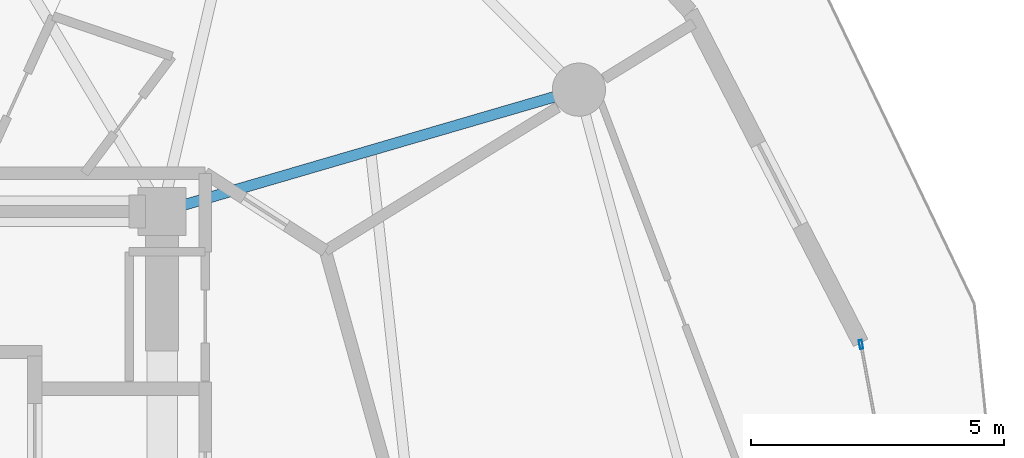
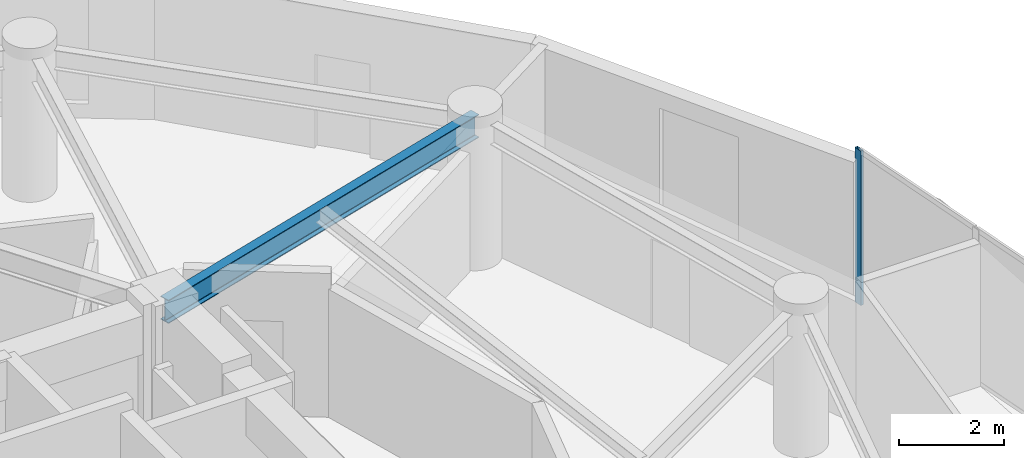
# One storey, part 10 of 21: 1 beam, 1 member, 1 element without a shape of its own.
"""IFC4 building model written with IfcOpenShell, lengths in metres."""

from ifc_helpers import new_model, si_unit, direction, frame, origin, origin_2d, place, context, subcontext, project, spatial, hollow_rectangle, i_section, extrude, source, transform, mapped, material, layer, layer_set, material_profile, profile_set, type_object, element, aggregate, save


model = new_model("IFC4")

# Units and contexts
model_context = context("Model", 3, precision=1e-05, world=origin(), true_north=direction((0.0, 1.0)))
body_context = subcontext(model_context, "Body", "Model", "MODEL_VIEW")
ifc_project = project(units=[si_unit("LENGTHUNIT", "METRE"), si_unit("AREAUNIT", "SQUARE_METRE"), si_unit("VOLUMEUNIT", "CUBIC_METRE"), si_unit("PLANEANGLEUNIT", "RADIAN"), si_unit("MASSUNIT", "GRAM", prefix="KILO")], contexts=[model_context])

# Site, building, storey
site_placement = place(None, origin())
site = spatial("IfcSite", under=ifc_project, at=site_placement, CompositionType="ELEMENT")
building_placement = place(site_placement, origin())
building = spatial("IfcBuilding", under=site, at=building_placement, Name="Solvirekh Grand Hotel", CompositionType="ELEMENT")
storey_placement = place(building_placement, frame((0.0, 0.0, 131.39990234375)))
storey = spatial("IfcBuildingStorey", under=building, at=storey_placement, Name="L33", CompositionType="ELEMENT", Elevation=131.39990234375)

# Beam
ifc_material_1 = material(Name="Steel S355", Category="steel")
ifc_material_profile_1 = material_profile(ifc_material_1, i_section(OverallWidth=0.2119140625, OverallDepth=0.5439453125, WebThickness=0.011962890625, FlangeThickness=0.01904296875, FilletRadius=0.013916015625, at=origin_2d()), Name="W530X123")
ifc_profile_set_1 = profile_set([ifc_material_profile_1], Name="Steel S355")
beam_type = type_object("IfcBeamType", Name="Beam_Radial_W530H", PredefinedType="BEAM", material=ifc_profile_set_1)
beam_placement = place(storey_placement, frame((6.5, 6.10009765625, 3.078125), z_axis=(0.959942195467, 0.28019811092, 0.0), x_axis=(-0.28019811092, 0.959942195467, 0.0)))
element("IfcBeam", 1, at=beam_placement, inside=storey, type_object=beam_type, Name="L33 radial floor beam R02", PredefinedType="BEAM", context=body_context, shape_type="SweptSolid", body=[
    extrude(i_section(OverallWidth=0.2119140625, OverallDepth=0.5439453125, WebThickness=0.011962890625, FlangeThickness=0.01904296875, FilletRadius=0.013916015625, at=origin_2d()), origin(), (0.0, 0.0, 1.0), 8.56494140625),
])

# Curtain wall, member
ifc_material_2 = material(Name="Anodized Bronze Aluminium 6063-T6", Category="aluminium")
ifc_layer = layer(ifc_material_2, 0.175048828125)
ifc_layer_set = layer_set([ifc_layer], Name="Anodized Bronze Aluminium 6063-T6")
curtain_wall_type = type_object("IfcCurtainWallType", Name="CW_Sys3_MidZoneFlushBronzeCW", PredefinedType="NOTDEFINED", material=ifc_layer_set)
curtain_wall_placement = place(storey_placement, origin())
curtain_wall = element("IfcCurtainWall", 2, at=curtain_wall_placement, inside=storey, type_object=curtain_wall_type, Name="L33 unitised bronze-glass curtain wall CW-L33-C03", PredefinedType="NOTDEFINED")
ifc_material_profile_2 = material_profile(ifc_material_2, hollow_rectangle(XDim=0.06494140625, YDim=0.175048828125, WallThickness=0.0048828125, at=origin_2d()), Name="ALU RHS 175X65X5")
ifc_profile_set_2 = profile_set([ifc_material_profile_2], Name="Anodized Bronze Aluminium 6063-T6")
member_type = type_object("IfcMemberType", Name="CWMullion_Sys3", PredefinedType="MULLION", material=ifc_profile_set_2)
shared_shape = source(origin(), body_context, "Body", "SweptSolid", [
    extrude(hollow_rectangle(XDim=0.06494140625, YDim=0.175048828125, WallThickness=0.0048828125, at=origin_2d()), origin(), (0.0, 0.0, 1.0), 3.60009765625),
])
member_placement = place(storey_placement, frame((20.285888671875, 3.47509765625, 0.0), z_axis=(0.0, 0.0, 1.0), x_axis=(-0.983378643354, -0.181566637342, 0.0)))
member = element("IfcMember", 3, at=member_placement, type_object=member_type, Name="U03 mullion 3", PredefinedType="MULLION", context=body_context, shape_type="MappedRepresentation", body=[
    mapped(shared_shape, transform((0.0, 0.0, 0.0), x_axis=(1.0, 0.0, 0.0), y_axis=(0.0, 1.0, 0.0), z_axis=(0.0, 0.0, 1.0), scale=1.0)),
])
aggregate(curtain_wall, [member])

save(model, "model.ifc")
